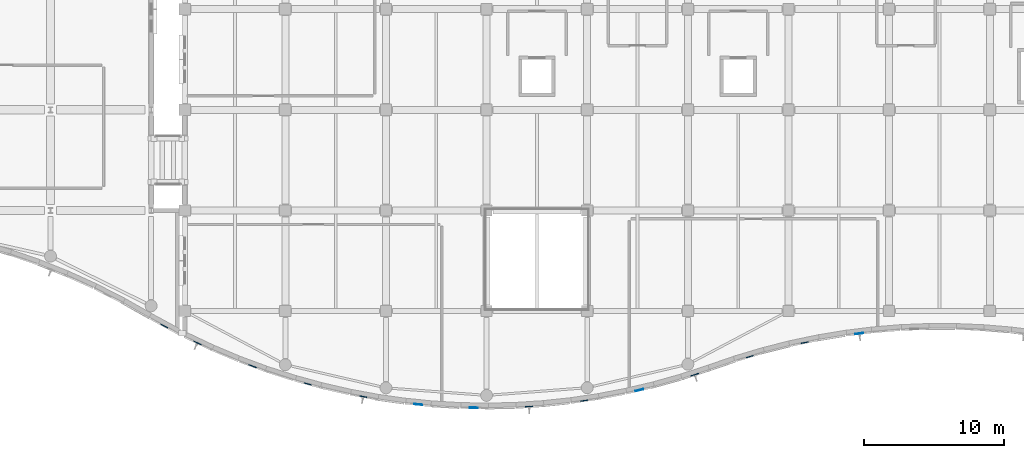
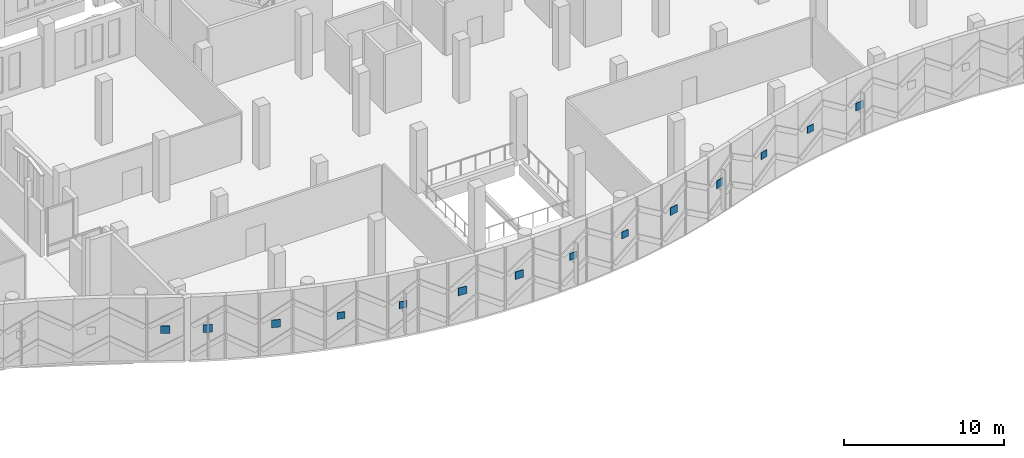
# One storey, part 144 of 220: 14 plates.
"""IFC4 building model written with IfcOpenShell, lengths in metres."""

import ifcopenshell
import ifcopenshell.guid

model = None  # the IFC model being written
_history = None  # IfcOwnerHistory: only IFC2X3 demands one
_inside = {}  # id of a spatial element -> (the spatial element, [elements in it])
_under = {}  # id of a project, library or spatial element -> (it, [spatial elements below it])
_declared = {}  # id of a project -> (the project, [libraries it declares])
_typed = {}  # id of a type object -> (the type object, [elements of that type])
_made_of = {}  # id of a material, layer set ... -> (it, [elements and type objects made of it])


def new_model(schema):
    """Start an empty IFC model of exactly this schema.

    Asked for "IFC4X3", IfcOpenShell would pick the latest addendum, in which some entities
    have other attributes; the version numbers below select the first issue.
    IFC2X3 requires an IfcOwnerHistory on every rooted entity: one is made here for all.
    """
    global model, _history
    if schema == "IFC4X3":
        model = ifcopenshell.file(schema_version=(4, 3, 0, 0))
    else:
        model = ifcopenshell.file(schema=schema)
    _inside.clear()
    _under.clear()
    _declared.clear()
    _typed.clear()
    _made_of.clear()
    _history = None
    if model.schema == "IFC2X3":
        org = make("IfcOrganization", Name="unknown")
        user = make(
            "IfcPersonAndOrganization",
            ThePerson=make("IfcPerson", FamilyName="unknown"),
            TheOrganization=org,
        )
        app = make(
            "IfcApplication",
            ApplicationDeveloper=org,
            Version="unknown",
            ApplicationFullName="unknown",
            ApplicationIdentifier="unknown",
        )
        _history = make(
            "IfcOwnerHistory",
            OwningUser=user,
            OwningApplication=app,
            ChangeAction="ADDED",
            CreationDate=0,
        )
    return model


def make(cls, **values):
    """One entity of the class cls with the attributes given. An attribute that is None is left unset."""
    return model.create_entity(
        cls, **{name: value for name, value in values.items() if value is not None}
    )


def rooted(cls, **values):
    """An entity with a GlobalId (a new one), such as an element, a storey or a relation."""
    return make(cls, GlobalId=ifcopenshell.guid.new(), OwnerHistory=_history, **values)


def si_unit(unit_type, name, prefix=None):
    """IfcSIUnit, for example si_unit("LENGTHUNIT", "METRE", prefix="MILLI")."""
    return make("IfcSIUnit", UnitType=unit_type, Prefix=prefix, Name=name)


def assignment(units):
    """IfcUnitAssignment: the units of a project."""
    return None if units is None else make("IfcUnitAssignment", Units=units)


def point(xyz):
    """IfcCartesianPoint."""
    return None if xyz is None else make("IfcCartesianPoint", Coordinates=xyz)


def direction(xyz):
    """IfcDirection."""
    return None if xyz is None else make("IfcDirection", DirectionRatios=xyz)


def frame(location, z_axis=None, x_axis=None):
    """IfcAxis2Placement3D, a coordinate frame: its origin and axes. An axis left out is left unset."""
    return make(
        "IfcAxis2Placement3D",
        Location=point(location),
        Axis=direction(z_axis),
        RefDirection=direction(x_axis),
    )


def frame_2d(location, x_axis=None):
    """IfcAxis2Placement2D, a coordinate frame in the plane: its origin and x axis."""
    return make(
        "IfcAxis2Placement2D", Location=point(location), RefDirection=direction(x_axis)
    )


def origin():
    """The frame at (0, 0, 0) with its axes left unset."""
    return frame((0.0, 0.0, 0.0))


def origin_2d():
    """The frame at (0, 0) in the plane with its x axis left unset."""
    return frame_2d((0.0, 0.0))


def place(relative_to, where):
    """IfcLocalPlacement: puts the frame where relative to a parent placement (None: the world)."""
    return make(
        "IfcLocalPlacement", PlacementRelTo=relative_to, RelativePlacement=where
    )


def context(
    kind, dimensions, precision=None, world=None, true_north=None, identifier=None
):
    """IfcGeometricRepresentationContext, for example the 3D "Model" context."""
    return make(
        "IfcGeometricRepresentationContext",
        ContextIdentifier=identifier,
        ContextType=kind,
        CoordinateSpaceDimension=dimensions,
        Precision=precision,
        WorldCoordinateSystem=world,
        TrueNorth=true_north,
    )


def subcontext(parent, identifier, kind, view, scale=None):
    """IfcGeometricRepresentationSubContext, for example "Body" below "Model"."""
    return make(
        "IfcGeometricRepresentationSubContext",
        ContextIdentifier=identifier,
        ContextType=kind,
        ParentContext=parent,
        TargetScale=scale,
        TargetView=view,
    )


def project(units=None, contexts=None):
    """IfcProject with its units and contexts."""
    return rooted(
        "IfcProject",
        Name="project",
        RepresentationContexts=contexts,
        UnitsInContext=assignment(units),
    )


def spatial(cls, under=None, at=None, **own):
    """A site, building, storey or space (cls), placed at a placement, below another one or the project."""
    s = rooted(cls, ObjectPlacement=at, **own)
    if under is not None:
        _under.setdefault(under.id(), (under, []))[1].append(s)
    return s


def profile(cls, at=None, kind="AREA", **sizes):
    """A parametric profile (cls). Its sizes go by their IFC names, for example OverallWidth=200.0."""
    return make(cls, ProfileType=kind, Position=at, **sizes)


def rectangle(**sizes):
    """IfcRectangleProfileDef."""
    return profile("IfcRectangleProfileDef", **sizes)


def extrude(swept, where, along, depth):
    """IfcExtrudedAreaSolid: the profile swept, set in the frame where, extruded along a direction by depth."""
    return make(
        "IfcExtrudedAreaSolid",
        SweptArea=swept,
        Position=where,
        ExtrudedDirection=direction(along),
        Depth=depth,
    )


def shape(context_of_items, identifier, shape_type, items):
    """IfcShapeRepresentation: the items that make up one representation, for example the "Body"."""
    return make(
        "IfcShapeRepresentation",
        ContextOfItems=context_of_items,
        RepresentationIdentifier=identifier,
        RepresentationType=shape_type,
        Items=items,
    )


def material(Name=None, Category=None):
    """IfcMaterial."""
    return make("IfcMaterial", Name=Name, Category=Category)


def layer(
    of_material, thickness, ventilated=None, Name=None, Category=None, Priority=None
):
    """IfcMaterialLayer: one layer of a wall or slab, of a material (None: an air gap)."""
    return make(
        "IfcMaterialLayer",
        Material=of_material,
        LayerThickness=thickness,
        IsVentilated=ventilated,
        Name=Name,
        Category=Category,
        Priority=Priority,
    )


def layer_set(layers, Name=None):
    """IfcMaterialLayerSet."""
    return make("IfcMaterialLayerSet", MaterialLayers=layers, LayerSetName=Name)


def made_of(thing, what):
    """Note that an element or type object is made of a material, layer set ...; save() writes the relation."""
    if what is not None:
        _made_of.setdefault(what.id(), (what, []))[1].append(thing)
    return thing


def type_object(cls, material=None, **own):
    """A type object (cls), such as IfcWallType, which elements share."""
    return made_of(rooted(cls, **own), material)


def element(
    cls,
    number,
    at=None,
    inside=None,
    cuts=None,
    type_object=None,
    material=None,
    context=None,
    identifier="Body",
    shape_type=None,
    held_by="IfcProductDefinitionShape",
    body=None,
    shapes=None,
    **own,
):
    """One element of the class cls, such as IfcWall. Its Tag is "e" and its number.

    at: its placement. inside: the storey or other place that contains it. cuts: it is an
    opening in that element (IfcRelVoidsElement). A single representation is given by context,
    identifier, shape_type and body (its items); several are given by shapes. held_by: the class
    of the entity that holds the representations. save() writes the other relations.
    """
    e = rooted(cls, Tag="e%d" % number, ObjectPlacement=at, **own)
    if body is not None:
        shapes = [shape(context, identifier, shape_type, body)]
    if shapes is not None:
        e.Representation = make(held_by, Representations=shapes)
    if inside is not None:
        _inside.setdefault(inside.id(), (inside, []))[1].append(e)
    if cuts is not None:
        rooted(
            "IfcRelVoidsElement", RelatingBuildingElement=cuts, RelatedOpeningElement=e
        )
    if type_object is not None:
        _typed.setdefault(type_object.id(), (type_object, []))[1].append(e)
    return made_of(e, material)


def aggregate(whole, parts):
    """IfcRelAggregates: a whole, such as a stair, and the parts it consists of."""
    return rooted("IfcRelAggregates", RelatingObject=whole, RelatedObjects=parts)


def save(model, path):
    """Write the relations noted so far, then the file.

    IfcRelAggregates (storeys below a building ...), IfcRelContainedInSpatialStructure (elements
    in a storey), IfcRelDefinesByType, IfcRelAssociatesMaterial and IfcRelDeclares: one each for
    every whole, place, type object, material and project.
    """
    for whole, parts in _under.values():
        aggregate(whole, parts)
    for where, things in _inside.values():
        rooted(
            "IfcRelContainedInSpatialStructure",
            RelatedElements=things,
            RelatingStructure=where,
        )
    for kind, things in _typed.values():
        rooted("IfcRelDefinesByType", RelatedObjects=things, RelatingType=kind)
    for what, things in _made_of.values():
        rooted("IfcRelAssociatesMaterial", RelatedObjects=things, RelatingMaterial=what)
    for by, libraries in _declared.values():
        rooted("IfcRelDeclares", RelatingContext=by, RelatedDefinitions=libraries)
    model.write(path)


model = new_model("IFC4")

# Units and contexts
model_context = context("Model", 3, precision=1e-05, world=origin(), true_north=direction((0.0, 1.0)))
body_context = subcontext(model_context, "Body", "Model", "MODEL_VIEW")
ifc_project = project(units=[si_unit("LENGTHUNIT", "METRE"), si_unit("AREAUNIT", "SQUARE_METRE"), si_unit("VOLUMEUNIT", "CUBIC_METRE"), si_unit("PLANEANGLEUNIT", "RADIAN"), si_unit("MASSUNIT", "GRAM", prefix="KILO")], contexts=[model_context])

# Site, building, storey
site_placement = place(None, origin())
site = spatial("IfcSite", under=ifc_project, at=site_placement, CompositionType="ELEMENT")
building_placement = place(site_placement, origin())
building = spatial("IfcBuilding", under=site, at=building_placement, Name="Cendralis Lancet Convention Centre", CompositionType="ELEMENT")
storey_placement = place(building_placement, frame((0.0, 0.0, 5.39990234375)))
storey = spatial("IfcBuildingStorey", under=building, at=storey_placement, Name="L01", CompositionType="ELEMENT", Elevation=5.39990234375)

# Plates
ifc_material_1 = material(Name="Warm buff sandstone chevron cassette", Category="masonry")
ifc_layer_1 = layer(ifc_material_1, 0.044921875, Name="Warm buff sandstone chevron cassette")
ifc_layer_set_1 = layer_set([ifc_layer_1], Name="Warm buff sandstone chevron cassette")
plate_type_1 = type_object("IfcPlateType", Name="ARC-PL-CHV1", PredefinedType="SHEET", material=ifc_layer_set_1)
for number, where, z_axis, x_axis, name in (
    (1, (130.5390625, 6.131103515625, 2.090087890625), (0.0, 0.0, 1.0), (0.878542143196, -0.477664843409, 0.0), "Chevron Keystone Cassette CHV-S1 #0097"),
    (2, (132.9052734375, 4.92578125, 2.090087890625), (0.0, 0.0, 1.0), (0.903507405674, -0.428572476825, 0.0), "Chevron Keystone Cassette CHV-S1 #0100"),
    (3, (148.719970703125, 0.517822265625, 2.090087890625), (0.0, 0.0, 1.0), (0.994982497445, -0.100049136823, 0.0), "Chevron Keystone Cassette CHV-S1 #0112"),
    (4, (164.53466796875, 1.54443359375, 2.090087890625), (0.0, 0.0, 1.0), (0.973670490342, 0.227960032103, 0.0), "Chevron Keystone Cassette CHV-S1 #0124"),
    (5, (180.269287109375, 5.593017578125, 2.090087890625), (0.0, 0.0, 1.0), (0.992471520713, 0.122475632571, 0.0), "Chevron Keystone Cassette CHV-S1 #0136"),
):
    element("IfcPlate", number, at=place(storey_placement, frame(where, z_axis=z_axis, x_axis=x_axis)), inside=storey, type_object=plate_type_1, Name=name, PredefinedType="SHEET", context=body_context, shape_type="SweptSolid", body=[
        extrude(rectangle(XDim=0.580078125, YDim=0.044921875, at=origin_2d()), origin(), (0.0, 0.0, 1.0), 0.580078125),
    ])
ifc_material_2 = material(Name="Dark Andean slate chevron cassette", Category="masonry")
ifc_layer_2 = layer(ifc_material_2, 0.048095703125, Name="Dark Andean slate chevron cassette")
ifc_layer_set_2 = layer_set([ifc_layer_2], Name="Dark Andean slate chevron cassette")
plate_type_2 = type_object("IfcPlateType", Name="ARC-PL-CHV2", PredefinedType="SHEET", material=ifc_layer_set_2)
for number, where, z_axis, x_axis, name in (
    (6, (136.85888671875, 3.260986328125, 2.090087890625), (0.0, 0.0, 1.0), (0.938155085485, -0.346215302346, 0.0), "Chevron Keystone Cassette CHV-D1 #0103"),
    (7, (152.673583984375, 0.282958984375, 2.090087890625), (0.0, 0.0, 1.0), (0.999833042467, -0.018272580285, 0.0), "Chevron Keystone Cassette CHV-D1 #0115"),
    (8, (168.48779296875, 2.650146484375, 2.090087890625), (0.0, 0.0, 1.0), (0.950737803638, 0.309996175353, 0.0), "Chevron Keystone Cassette CHV-D1 #0127"),
):
    element("IfcPlate", number, at=place(storey_placement, frame(where, z_axis=z_axis, x_axis=x_axis)), inside=storey, type_object=plate_type_2, Name=name, PredefinedType="SHEET", context=body_context, shape_type="SweptSolid", body=[
        extrude(rectangle(XDim=0.580078125, YDim=0.048095703125, at=origin_2d()), origin(), (0.0, 0.0, 1.0), 0.580078125),
    ])
ifc_layer_3 = layer(ifc_material_1, 0.044921875, Name="Warm buff sandstone chevron cassette")
ifc_layer_set_3 = layer_set([ifc_layer_3], Name="Warm buff sandstone chevron cassette")
plate_type_3 = type_object("IfcPlateType", Name="ARC-PL-CHV3", PredefinedType="SHEET", material=ifc_layer_set_3)
for number, where, z_axis, x_axis, name in (
    (9, (140.8125, 1.990478515625, 2.1201171875), (0.0, 0.0, 1.0), (0.964391431746, -0.264479047139, 0.0), "Chevron Keystone Cassette CHV-S2 #0106"),
    (10, (156.627197265625, 0.373291015625, 2.1201171875), (0.0, 0.0, 1.0), (0.997959312839, 0.063853033741, 0.0), "Chevron Keystone Cassette CHV-S2 #0118"),
    (11, (172.422607421875, 3.94384765625, 2.1201171875), (0.0, 0.0, 1.0), (0.957917734536, 0.287042878088, 0.0), "Chevron Keystone Cassette CHV-S2 #0130"),
):
    element("IfcPlate", number, at=place(storey_placement, frame(where, z_axis=z_axis, x_axis=x_axis)), inside=storey, type_object=plate_type_3, Name=name, PredefinedType="SHEET", context=body_context, shape_type="SweptSolid", body=[
        extrude(rectangle(XDim=0.52001953125, YDim=0.044921875, at=origin_2d()), origin(), (0.0, 0.0, 1.0), 0.52001953125),
    ])
ifc_layer_4 = layer(ifc_material_2, 0.048095703125, Name="Dark Andean slate chevron cassette")
ifc_layer_set_4 = layer_set([ifc_layer_4], Name="Dark Andean slate chevron cassette")
plate_type_4 = type_object("IfcPlateType", Name="ARC-PL-CHV4", PredefinedType="SHEET", material=ifc_layer_set_4)
for number, where, z_axis, x_axis, name in (
    (12, (144.76611328125, 1.0830078125, 2.1201171875), (0.0, 0.0, 1.0), (0.983175298719, -0.182664534019, 0.0), "Chevron Keystone Cassette CHV-D2 #0109"),
    (13, (160.58056640625, 0.791015625, 2.1201171875), (0.0, 0.0, 1.0), (0.989328351891, 0.145703164496, 0.0), "Chevron Keystone Cassette CHV-D2 #0121"),
    (14, (176.345458984375, 4.94091796875, 2.1201171875), (0.0, 0.0, 1.0), (0.978803096128, 0.204803562005, 0.0), "Chevron Keystone Cassette CHV-D2 #0133"),
):
    element("IfcPlate", number, at=place(storey_placement, frame(where, z_axis=z_axis, x_axis=x_axis)), inside=storey, type_object=plate_type_4, Name=name, PredefinedType="SHEET", context=body_context, shape_type="SweptSolid", body=[
        extrude(rectangle(XDim=0.52001953125, YDim=0.048095703125, at=origin_2d()), origin(), (0.0, 0.0, 1.0), 0.52001953125),
    ])

save(model, "model.ifc")
